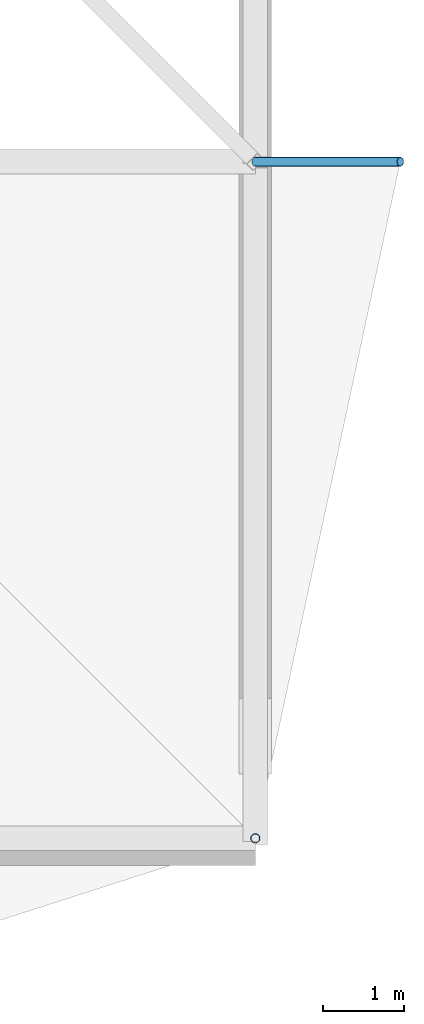
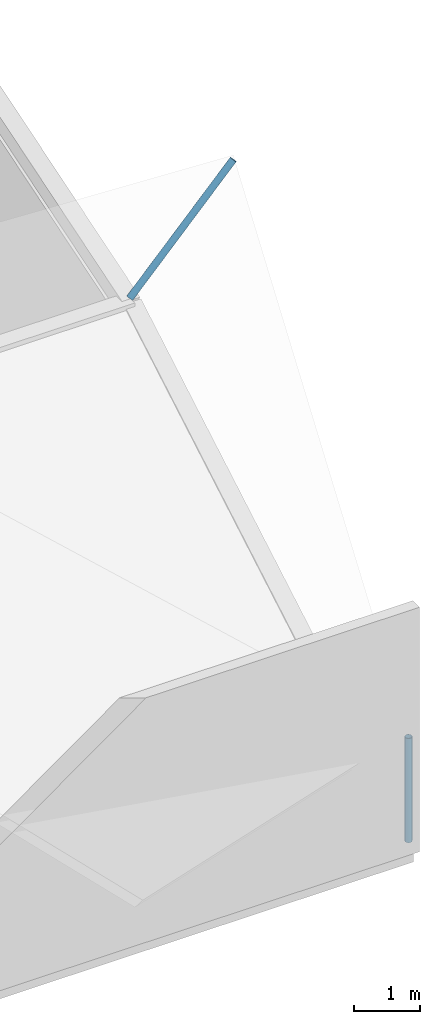
# One storey, part 53 of 111: 2 discrete accessories.
"""IFC4 building model written with IfcOpenShell, lengths in metres."""

from ifc_helpers import new_model, si_unit, direction, frame, origin, origin_2d, place, context, subcontext, project, spatial, hollow_circle, extrude, material, material_profile, profile_set, type_object, element, save


model = new_model("IFC4")

# Units and contexts
model_context = context("Model", 3, precision=1e-05, world=origin(), true_north=direction((0.0, 1.0)))
body_context = subcontext(model_context, "Body", "Model", "MODEL_VIEW")
ifc_project = project(units=[si_unit("LENGTHUNIT", "METRE"), si_unit("AREAUNIT", "SQUARE_METRE"), si_unit("VOLUMEUNIT", "CUBIC_METRE"), si_unit("PLANEANGLEUNIT", "RADIAN"), si_unit("MASSUNIT", "GRAM", prefix="KILO")], contexts=[model_context])

# Site, building, storey
site_placement = place(None, origin())
site = spatial("IfcSite", under=ifc_project, at=site_placement, CompositionType="ELEMENT")
building_placement = place(site_placement, origin())
building = spatial("IfcBuilding", under=site, at=building_placement, Name="Rain Tree Exposition and Congress Centre", CompositionType="ELEMENT")
storey_placement = place(building_placement, frame((0.0, 0.0, 19.5)))
storey = spatial("IfcBuildingStorey", under=building, at=storey_placement, Name="RF", CompositionType="ELEMENT", Elevation=19.5)

# Discrete accessories
ifc_material = material(Name="Steel S355J2H", Category="steel")
ifc_material_profile = material_profile(ifc_material, hollow_circle(Radius=0.05712890625, WallThickness=0.00439453125, at=origin_2d()), Name="CHS 114x4.5")
ifc_profile_set = profile_set([ifc_material_profile], Name="Steel S355J2H")
discrete_accessory_type = type_object("IfcDiscreteAccessoryType", Name="Roof skin post CHS 114x4.5", PredefinedType="BRACKET", material=ifc_profile_set)
discrete_accessory_1_placement = place(storey_placement, frame((243.60009765625, 100.800048828125, 0.5), z_axis=(0.0, 0.0, 1.0), x_axis=(1.0, 0.0, 0.0)))
element("IfcDiscreteAccessory", 1, at=discrete_accessory_1_placement, inside=storey, type_object=discrete_accessory_type, Name="Roof skin post B13", PredefinedType="BRACKET", context=body_context, shape_type="SweptSolid", body=[
    extrude(hollow_circle(Radius=0.05712890625, WallThickness=0.00439453125, at=origin_2d()), origin(), (0.0, 0.0, 1.0), 1.919921875),
])
discrete_accessory_2_placement = place(storey_placement, frame((243.60009765625, 109.199951171875, 5.39404296875), z_axis=(0.683916440677, 0.0, 0.729560348547), x_axis=(0.0, 1.0, 0.0)))
element("IfcDiscreteAccessory", 2, at=discrete_accessory_2_placement, inside=storey, type_object=discrete_accessory_type, Name="Roof skin post B26", PredefinedType="BRACKET", context=body_context, shape_type="SweptSolid", body=[
    extrude(hollow_circle(Radius=0.05712890625, WallThickness=0.00439453125, at=origin_2d()), origin(), (0.0, 0.0, 1.0), 2.631591796875),
])

save(model, "model.ifc")
